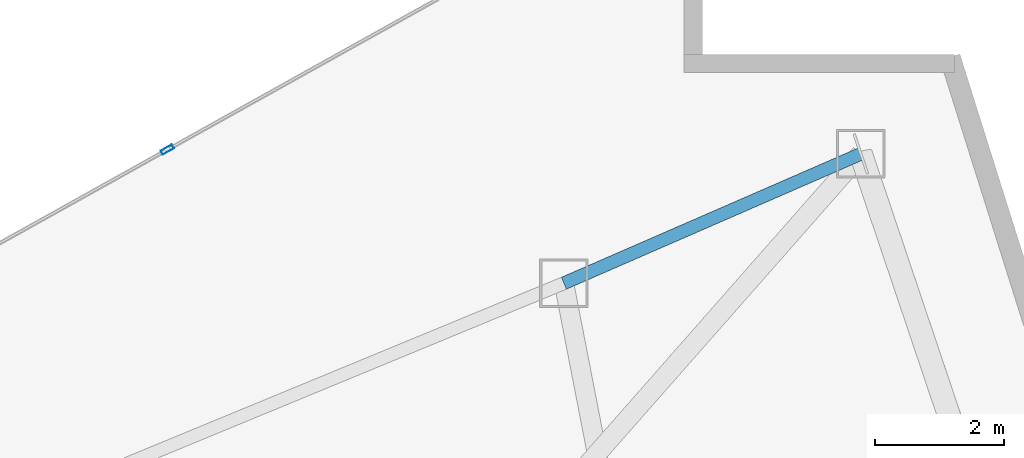
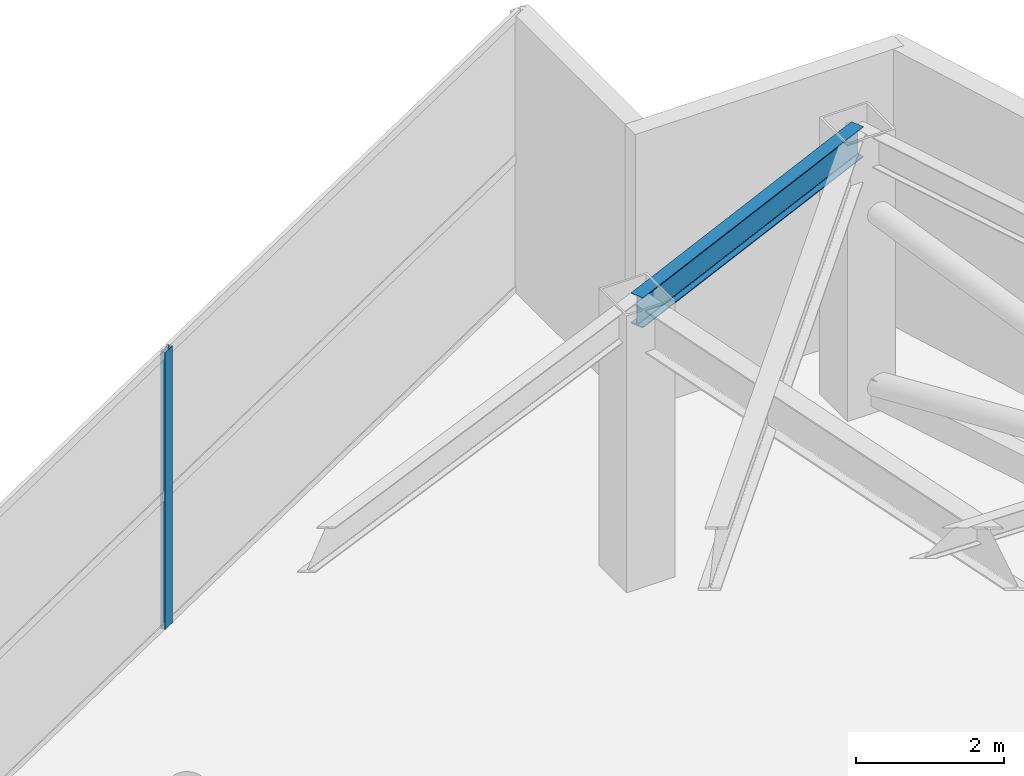
# One storey, part 6 of 19: 1 beam, 1 member, 1 element without a shape of its own.
"""IFC4 building model written with IfcOpenShell, lengths in metres."""

from ifc_helpers import new_model, si_unit, direction, frame, origin, origin_2d, place, context, subcontext, project, spatial, hollow_rectangle, i_section, extrude, material, layer, layer_set, material_profile, profile_set, type_object, element, aggregate, save


model = new_model("IFC4")

# Units and contexts
model_context = context("Model", 3, precision=1e-05, world=origin(), true_north=direction((0.0, 1.0)))
body_context = subcontext(model_context, "Body", "Model", "MODEL_VIEW")
ifc_project = project(units=[si_unit("LENGTHUNIT", "METRE"), si_unit("AREAUNIT", "SQUARE_METRE"), si_unit("VOLUMEUNIT", "CUBIC_METRE"), si_unit("PLANEANGLEUNIT", "RADIAN"), si_unit("MASSUNIT", "GRAM", prefix="KILO")], contexts=[model_context])

# Site, building, storey
site_placement = place(None, origin())
site = spatial("IfcSite", under=ifc_project, at=site_placement, CompositionType="ELEMENT")
building_placement = place(site_placement, origin())
building = spatial("IfcBuilding", under=site, at=building_placement, Name="Calvorn Quay Hotel", CompositionType="ELEMENT")
storey_placement = place(building_placement, frame((0.0, 0.0, 139.199951171875)))
storey = spatial("IfcBuildingStorey", under=building, at=storey_placement, Name="L34", CompositionType="ELEMENT", Elevation=139.199951171875)

# Beam
ifc_material_1 = material(Name="Steel Q355B", Category="steel")
ifc_material_profile_1 = material_profile(ifc_material_1, i_section(OverallWidth=0.199951171875, OverallDepth=0.5, WebThickness=0.010009765625, FlangeThickness=0.01611328125, FilletRadius=0.01611328125, at=origin_2d()), Name="HN500x200x10x16")
ifc_profile_set_1 = profile_set([ifc_material_profile_1], Name="Steel Q355B")
beam_type = type_object("IfcBeamType", Name="BM-SPANDREL-Z1", PredefinedType="SPANDREL", material=ifc_profile_set_1)
beam_placement = place(storey_placement, frame((48.591064453125, 33.39990234375, 4.2900390625), z_axis=(-0.916786146489, -0.399378469132, 0.0), x_axis=(0.399378469132, -0.916786146489, 0.0)))
element("IfcBeam", 1, at=beam_placement, inside=storey, type_object=beam_type, Name="Beam BSP-L34-E3", PredefinedType="SPANDREL", context=body_context, shape_type="SweptSolid", body=[
    extrude(i_section(OverallWidth=0.199951171875, OverallDepth=0.5, WebThickness=0.010009765625, FlangeThickness=0.01611328125, FilletRadius=0.01611328125, at=origin_2d()), origin(), (0.0, 0.0, 1.0), 5.0078125),
])

# Curtain wall, member
ifc_material_2 = material(Name="Pale Anodised Aluminium and Low-E Glass", Category="aluminium")
ifc_layer = layer(ifc_material_2, 0.219970703125)
ifc_layer_set = layer_set([ifc_layer], Name="CW-SYS-Z2")
curtain_wall_type = type_object("IfcCurtainWallType", Name="CW-SYS-Z2", PredefinedType="NOTDEFINED", material=ifc_layer_set)
curtain_wall_placement = place(storey_placement, origin())
curtain_wall = element("IfcCurtainWall", 2, at=curtain_wall_placement, inside=storey, type_object=curtain_wall_type, Name="Inner Court Curtain Wall L34-NE1", PredefinedType="NOTDEFINED")
ifc_material_3 = material(Name="Pale Anodised Aluminium 6063-T6", Category="aluminium")
ifc_material_profile_2 = material_profile(ifc_material_3, hollow_rectangle(XDim=0.070068359375, YDim=0.199951171875, WallThickness=0.00390625, at=origin_2d()), Name="ALU-M200x70x4")
ifc_profile_set_2 = profile_set([ifc_material_profile_2], Name="Pale Anodised Aluminium 6063-T6")
member_type = type_object("IfcMemberType", Name="CW-SYS-Z2-MUL", PredefinedType="MULLION", material=ifc_profile_set_2)
member_placement = place(storey_placement, frame((37.86669921875, 33.466552734375, 0.0), z_axis=(0.0, 0.0, 1.0), x_axis=(0.486858256224, -0.873480989116, 0.0)))
member = element("IfcMember", 3, at=member_placement, type_object=member_type, Name="CW-L34-NE1 mullion 2", PredefinedType="MULLION", context=body_context, shape_type="SweptSolid", body=[
    extrude(hollow_rectangle(XDim=0.070068359375, YDim=0.199951171875, WallThickness=0.00390625, at=origin_2d()), origin(), (0.0, 0.0, 1.0), 4.56005859375),
])
aggregate(curtain_wall, [member])

save(model, "model.ifc")
